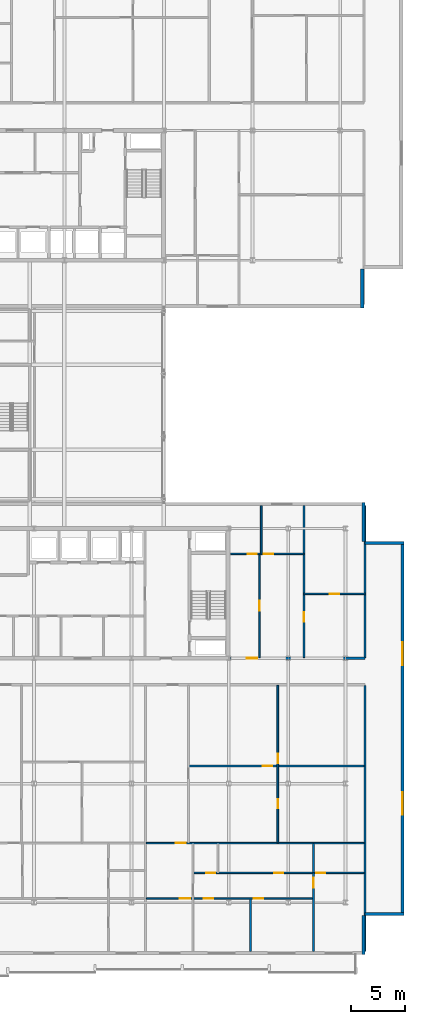
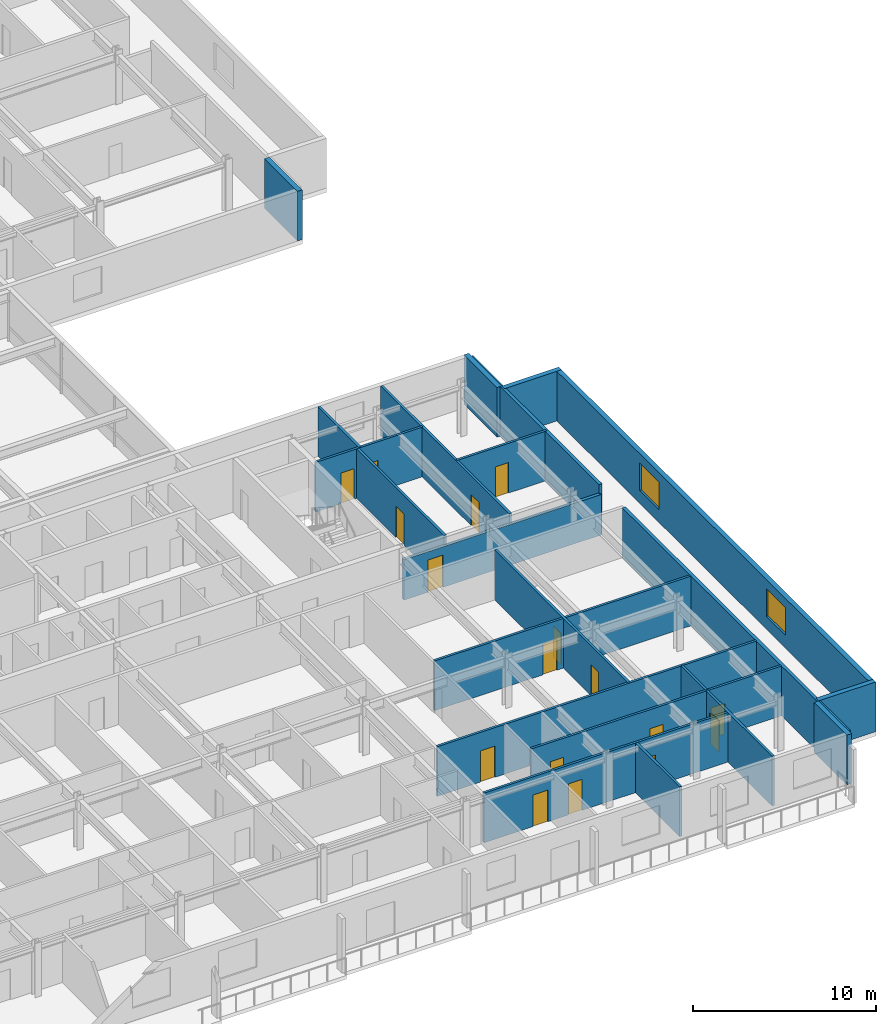
# One storey, part 23 of 36: 22 walls, 17 doors, 2 windows, 19 openings.
"""IFC4 building model written with IfcOpenShell, lengths in metres."""

from ifc_helpers import new_model, si_unit, direction, frame, frame_2d, origin, place, context, subcontext, project, spatial, rectangle, extrude, material, layer, layer_set, type_object, element, fill, save


model = new_model("IFC4")

# Units and contexts
model_context = context("Model", 3, precision=1e-05, world=origin(), true_north=direction((0.0, 1.0)))
body_context = subcontext(model_context, "Body", "Model", "MODEL_VIEW")
ifc_project = project(units=[si_unit("LENGTHUNIT", "METRE"), si_unit("AREAUNIT", "SQUARE_METRE"), si_unit("VOLUMEUNIT", "CUBIC_METRE"), si_unit("PLANEANGLEUNIT", "RADIAN"), si_unit("MASSUNIT", "GRAM", prefix="KILO")], contexts=[model_context])

# Site, building, storey
site_placement = place(None, origin())
site = spatial("IfcSite", under=ifc_project, at=site_placement, CompositionType="ELEMENT")
building_placement = place(site_placement, origin())
building = spatial("IfcBuilding", under=site, at=building_placement, Name="Korimba Cascade Residences", CompositionType="ELEMENT")
storey_placement = place(building_placement, frame((0.0, 0.0, 146.5)))
storey = spatial("IfcBuildingStorey", under=building, at=storey_placement, Name="L42", CompositionType="ELEMENT", Elevation=146.5)

# Walls
ifc_material_1 = material(Name="Precast concrete C40/50", Category="concrete")
ifc_layer_1 = layer(ifc_material_1, 0.300048828125)
ifc_layer_set_1 = layer_set([ifc_layer_1], Name="Precast concrete C40/50")
wall_type_1 = type_object("IfcWallType", Name="EW-STONE-300", PredefinedType="STANDARD", material=ifc_layer_set_1)
wall_1_placement = place(storey_placement, frame((130.449951171875, 50.800048828125, 0.0), z_axis=(0.0, 0.0, 1.0), x_axis=(0.0, 1.0, 0.0)))
element("IfcWall", 1, at=wall_1_placement, inside=storey, type_object=wall_type_1, Name="L42 T1 Perimeter Stone Wall E01", PredefinedType="STANDARD", context=body_context, shape_type="SweptSolid", body=[
    extrude(rectangle(XDim=3.599853515625, YDim=0.300048828125, at=frame_2d((1.7998046875, 0.0))), origin(), (0.0, 0.0, 1.0), 3.31005859375),
])
for number, where, z_axis, x_axis, name in (
    (2, (130.550048828125, -9.0, 0.0), (0.0, 0.0, 1.0), (0.0, 1.0, 0.0), "L42 T2 Perimeter Stone Wall E01"),
    (3, (130.699951171875, -5.25, 0.0), (0.0, 0.0, 1.0), (1.0, 0.0, 0.0), "L42 T2 Perimeter Stone Wall E02"),
):
    element("IfcWall", number, at=place(storey_placement, frame(where, z_axis=z_axis, x_axis=x_axis)), inside=storey, type_object=wall_type_1, Name=name, PredefinedType="STANDARD", context=body_context, shape_type="SweptSolid", body=[
        extrude(rectangle(XDim=3.60009765625, YDim=0.300048828125, at=frame_2d((1.800048828125, 0.0))), origin(), (0.0, 0.0, 1.0), 3.31005859375),
    ])

# Wall, openings, windows
wall_2_placement = place(storey_placement, frame((134.14990234375, -5.39990234375, 0.0), z_axis=(0.0, 0.0, 1.0), x_axis=(0.0, 1.0, 0.0)))
wall_2 = element("IfcWall", 4, at=wall_2_placement, inside=storey, type_object=wall_type_1, Name="L42 T2 Perimeter Stone Wall E03", PredefinedType="STANDARD", context=body_context, shape_type="SweptSolid", body=[
    extrude(rectangle(XDim=34.599853515625, YDim=0.300048828125, at=frame_2d((17.2998046875, 0.0))), origin(), (0.0, 0.0, 1.0), 3.31005859375),
])
opening_1_placement = place(wall_2_placement, frame((9.330078125, 0.0, 0.85009765625)))
opening_1 = element("IfcOpeningElement", 5, at=opening_1_placement, cuts=wall_2, Name="Opening W-03", PredefinedType="OPENING", context=body_context, shape_type="SweptSolid", body=[
    extrude(rectangle(XDim=2.10009765625, YDim=1.85009765625, at=frame_2d((1.050048828125, 0.925048828125))), frame((0.0, 0.16015625, 0.0), z_axis=(0.0, -1.0, 0.0), x_axis=(1.0, 0.0, 0.0)), (0.0, 0.0, 1.0), 0.320068359375),
])
opening_2_placement = place(wall_2_placement, frame((23.169921875, 0.0, 0.85009765625)))
opening_2 = element("IfcOpeningElement", 6, at=opening_2_placement, cuts=wall_2, Name="Opening W-03", PredefinedType="OPENING", context=body_context, shape_type="SweptSolid", body=[
    extrude(rectangle(XDim=2.10009765625, YDim=1.85009765625, at=frame_2d((1.050048828125, 0.925048828125))), frame((0.0, 0.16015625, 0.0), z_axis=(0.0, -1.0, 0.0), x_axis=(1.0, 0.0, 0.0)), (0.0, 0.0, 1.0), 0.320068359375),
])
ifc_material_2 = material(Name="Double-Glazed Aluminium Window", Category="aluminium")
window_type = type_object("IfcWindowType", Name="WIN-CRN-2100", PartitioningType="DOUBLE_PANEL_HORIZONTAL", PredefinedType="WINDOW", material=ifc_material_2)
window_1_placement = place(opening_1_placement, origin())
window_1 = element("IfcWindow", 7, at=window_1_placement, inside=storey, type_object=window_type, Name="L42 T2 End View Window 3.1", OverallHeight=1.85009765625, OverallWidth=2.10009765625, PartitioningType="DOUBLE_PANEL_HORIZONTAL", PredefinedType="WINDOW", context=body_context, shape_type="SweptSolid", body=[
    extrude(rectangle(XDim=2.10009765625, YDim=1.85009765625, at=frame_2d((1.050048828125, 0.925048828125))), frame((0.0, 0.030029296875, 0.0), z_axis=(0.0, -1.0, 0.0), x_axis=(1.0, 0.0, 0.0)), (0.0, 0.0, 1.0), 0.06005859375),
])
fill(opening_1, window_1)
window_2_placement = place(opening_2_placement, origin())
window_2 = element("IfcWindow", 8, at=window_2_placement, inside=storey, type_object=window_type, Name="L42 T2 End View Window 3.2", OverallHeight=1.85009765625, OverallWidth=2.10009765625, PartitioningType="DOUBLE_PANEL_HORIZONTAL", PredefinedType="WINDOW", context=body_context, shape_type="SweptSolid", body=[
    extrude(rectangle(XDim=2.10009765625, YDim=1.85009765625, at=frame_2d((1.050048828125, 0.925048828125))), frame((0.0, 0.030029296875, 0.0), z_axis=(0.0, -1.0, 0.0), x_axis=(1.0, 0.0, 0.0)), (0.0, 0.0, 1.0), 0.06005859375),
])
fill(opening_2, window_2)

# Walls
for number, where, z_axis, x_axis, name in (
    (9, (134.300048828125, 29.050048828125, 0.0), (0.0, 0.0, 1.0), (-1.0, 0.0, 0.0), "L42 T2 Perimeter Stone Wall E04"),
    (10, (130.550048828125, 29.199951171875, 0.0), (0.0, 0.0, 1.0), (0.0, 1.0, 0.0), "L42 T2 Perimeter Stone Wall E05"),
):
    element("IfcWall", number, at=place(storey_placement, frame(where, z_axis=z_axis, x_axis=x_axis)), inside=storey, type_object=wall_type_1, Name=name, PredefinedType="STANDARD", context=body_context, shape_type="SweptSolid", body=[
        extrude(rectangle(XDim=3.60009765625, YDim=0.300048828125, at=frame_2d((1.800048828125, 0.0))), origin(), (0.0, 0.0, 1.0), 3.31005859375),
    ])
ifc_layer_2 = layer(ifc_material_1, 0.199951171875)
ifc_layer_set_2 = layer_set([ifc_layer_2], Name="Precast concrete C40/50")
wall_type_2 = type_object("IfcWallType", Name="WAL-IT-200", PredefinedType="PARTITIONING", material=ifc_layer_set_2)
wall_3_placement = place(storey_placement, frame((130.699951171875, 18.39990234375, 0.0), z_axis=(0.0, 0.0, 1.0), x_axis=(0.0, 1.0, 0.0)))
element("IfcWall", 11, at=wall_3_placement, inside=storey, type_object=wall_type_2, Name="L42 Partition Wall WAL-L42-T2-FE-WR", PredefinedType="PARTITIONING", context=body_context, shape_type="SweptSolid", body=[
    extrude(rectangle(XDim=14.10009765625, YDim=0.199951171875, at=frame_2d((7.050048828125, 0.0))), origin(), (0.0, 0.0, 1.0), 3.31005859375),
])

# Wall, opening, door
wall_4_placement = place(storey_placement, frame((118.25, 18.39990234375, 0.0), z_axis=(0.0, 0.0, 1.0), x_axis=(1.0, 0.0, 0.0)))
wall_4 = element("IfcWall", 12, at=wall_4_placement, inside=storey, type_object=wall_type_2, Name="L42 Partition Wall WAL-L42-T2-FE-S", PredefinedType="PARTITIONING", context=body_context, shape_type="SweptSolid", body=[
    extrude(rectangle(XDim=12.449951171875, YDim=0.199951171875, at=frame_2d((6.22509765625, 0.0))), origin(), (0.0, 0.0, 1.0), 2.69775390625),
])
opening_3_placement = place(wall_4_placement, frame((1.510009765625, 0.0, 0.0)))
opening_3 = element("IfcOpeningElement", 13, at=opening_3_placement, cuts=wall_4, Name="Opening D-UN1", PredefinedType="OPENING", context=body_context, shape_type="SweptSolid", body=[
    extrude(rectangle(XDim=0.949951171875, YDim=2.14990234375, at=frame_2d((0.47509765625, 1.074951171875))), frame((0.0, 0.10986328125, 0.0), z_axis=(0.0, -1.0, 0.0), x_axis=(1.0, 0.0, 0.0)), (0.0, 0.0, 1.0), 0.219970703125),
])
ifc_material_3 = material(Name="Fire-Rated Hardwood Apartment Entrance Door", Category="wood")
door_type_1 = type_object("IfcDoorType", Name="DR-FD60-950", OperationType="NOTDEFINED", PredefinedType="DOOR", material=ifc_material_3)
door_1_placement = place(opening_3_placement, origin())
door_1 = element("IfcDoor", 14, at=door_1_placement, inside=storey, type_object=door_type_1, Name="L42-T2-FE Entrance Door", OperationType="SINGLE_SWING_RIGHT", OverallHeight=2.14990234375, OverallWidth=0.949951171875, PredefinedType="DOOR", context=body_context, shape_type="SweptSolid", body=[
    extrude(rectangle(XDim=0.949951171875, YDim=2.14990234375, at=frame_2d((0.47509765625, 1.074951171875))), frame((0.0, 0.02490234375, 0.0), z_axis=(0.0, -1.0, 0.0), x_axis=(1.0, 0.0, 0.0)), (0.0, 0.0, 1.0), 0.050048828125),
])
fill(opening_3, door_1)

# Wall
wall_5_placement = place(storey_placement, frame((130.699951171875, -8.699951171875, 0.0), z_axis=(0.0, 0.0, 1.0), x_axis=(0.0, 1.0, 0.0)))
element("IfcWall", 15, at=wall_5_placement, inside=storey, type_object=wall_type_2, Name="L42 Partition Wall WAL-L42-T2-BNDWR", PredefinedType="PARTITIONING", context=body_context, shape_type="SweptSolid", body=[
    extrude(rectangle(XDim=24.570068359375, YDim=0.199951171875, at=frame_2d((12.28515625, 0.0))), origin(), (0.0, 0.0, 1.0), 3.31005859375),
])

# Wall, opening, door
ifc_material_4 = material(Name="Insulated Acoustic Stud Partition", Category="gypsum")
ifc_layer_3 = layer(ifc_material_4, 0.14990234375)
ifc_layer_set_3 = layer_set([ifc_layer_3], Name="Insulated Acoustic Stud Partition")
wall_type_3 = type_object("IfcWallType", Name="WAL-PART-150", PredefinedType="PARTITIONING", material=ifc_layer_set_3)
wall_6_placement = place(storey_placement, frame((125.050048828125, 24.35009765625, 0.0), z_axis=(0.0, 0.0, 1.0), x_axis=(1.0, 0.0, 0.0)))
wall_6 = element("IfcWall", 16, at=wall_6_placement, inside=storey, type_object=wall_type_3, Name="L42 Partition Wall WAL-L42-T2-FE-STH", PredefinedType="PARTITIONING", context=body_context, shape_type="SweptSolid", body=[
    extrude(rectangle(XDim=5.64990234375, YDim=0.14990234375, at=frame_2d((2.824951171875, 0.0))), origin(), (0.0, 0.0, 1.0), 3.31005859375),
])
opening_4_placement = place(wall_6_placement, frame((2.405029296875, 0.0, 0.0)))
opening_4 = element("IfcOpeningElement", 17, at=opening_4_placement, cuts=wall_6, Name="Opening D-BT1", PredefinedType="OPENING", context=body_context, shape_type="SweptSolid", body=[
    extrude(rectangle(XDim=0.840087890625, YDim=2.0400390625, at=frame_2d((0.419921875, 1.02001953125))), frame((0.0, 0.0849609375, 0.0), z_axis=(0.0, -1.0, 0.0), x_axis=(1.0, 0.0, 0.0)), (0.0, 0.0, 1.0), 0.169921875),
])
ifc_material_5 = material(Name="Moisture-Resistant Bathroom Timber Door", Category="wood")
door_type_2 = type_object("IfcDoorType", Name="DR-INT-850", OperationType="NOTDEFINED", PredefinedType="DOOR", material=ifc_material_5)
door_2_placement = place(opening_4_placement, origin())
door_2 = element("IfcDoor", 18, at=door_2_placement, inside=storey, type_object=door_type_2, Name="L42-T2-FE Dressing Store Door", OperationType="SINGLE_SWING_LEFT", OverallHeight=2.0400390625, OverallWidth=0.840087890625, PredefinedType="DOOR", context=body_context, shape_type="SweptSolid", body=[
    extrude(rectangle(XDim=0.840087890625, YDim=2.0400390625, at=frame_2d((0.419921875, 1.02001953125))), frame((0.0, 0.02490234375, 0.0), z_axis=(0.0, -1.0, 0.0), x_axis=(1.0, 0.0, 0.0)), (0.0, 0.0, 1.0), 0.050048828125),
])
fill(opening_4, door_2)

wall_7_placement = place(storey_placement, frame((125.050048828125, 18.449951171875, 0.0), z_axis=(0.0, 0.0, 1.0), x_axis=(0.0, 1.0, 0.0)))
wall_7 = element("IfcWall", 19, at=wall_7_placement, inside=storey, type_object=wall_type_3, Name="L42 Partition Wall WAL-L42-T2-FE-STV", PredefinedType="PARTITIONING", context=body_context, shape_type="SweptSolid", body=[
    extrude(rectangle(XDim=14.050048828125, YDim=0.14990234375, at=frame_2d((7.02490234375, 0.0))), origin(), (0.0, 0.0, 1.0), 3.31005859375),
])
opening_5_placement = place(wall_7_placement, frame((3.320068359375, 0.0, 0.0)))
opening_5 = element("IfcOpeningElement", 20, at=opening_5_placement, cuts=wall_7, Name="Opening D-IN2", PredefinedType="OPENING", context=body_context, shape_type="SweptSolid", body=[
    extrude(rectangle(XDim=0.8798828125, YDim=2.06005859375, at=frame_2d((0.43994140625, 1.030029296875))), frame((0.0, 0.0849609375, 0.0), z_axis=(0.0, -1.0, 0.0), x_axis=(1.0, 0.0, 0.0)), (0.0, 0.0, 1.0), 0.169921875),
])
ifc_material_6 = material(Name="Acoustic Timber Bedroom Door", Category="wood")
door_type_3 = type_object("IfcDoorType", Name="DR-INT-880", OperationType="NOTDEFINED", PredefinedType="DOOR", material=ifc_material_6)
door_3_placement = place(opening_5_placement, origin())
door_3 = element("IfcDoor", 21, at=door_3_placement, inside=storey, type_object=door_type_3, Name="L42-T2-FE Study Door", OperationType="SINGLE_SWING_RIGHT", OverallHeight=2.06005859375, OverallWidth=0.8798828125, PredefinedType="DOOR", context=body_context, shape_type="SweptSolid", body=[
    extrude(rectangle(XDim=0.8798828125, YDim=2.06005859375, at=frame_2d((0.43994140625, 1.030029296875))), frame((0.0, 0.02490234375, 0.0), z_axis=(0.0, -1.0, 0.0), x_axis=(1.0, 0.0, 0.0)), (0.0, 0.0, 1.0), 0.050048828125),
])
fill(opening_5, door_3)

wall_8_placement = place(storey_placement, frame((120.929931640625, 18.449951171875, 0.0), z_axis=(0.0, 0.0, 1.0), x_axis=(0.0, 1.0, 0.0)))
wall_8 = element("IfcWall", 22, at=wall_8_placement, inside=storey, type_object=wall_type_3, Name="L42 Partition Wall WAL-L42-T2-FE-VS", PredefinedType="PARTITIONING", context=body_context, shape_type="SweptSolid", body=[
    extrude(rectangle(XDim=9.60009765625, YDim=0.14990234375, at=frame_2d((4.800048828125, 0.0))), origin(), (0.0, 0.0, 1.0), 3.31005859375),
])
opening_6_placement = place(wall_8_placement, frame((4.340087890625, 0.0, 0.0)))
opening_6 = element("IfcOpeningElement", 23, at=opening_6_placement, cuts=wall_8, Name="Opening D-IN1", PredefinedType="OPENING", context=body_context, shape_type="SweptSolid", body=[
    extrude(rectangle(XDim=0.919921875, YDim=2.080078125, at=frame_2d((0.4599609375, 1.0400390625))), frame((0.0, 0.0849609375, 0.0), z_axis=(0.0, -1.0, 0.0), x_axis=(1.0, 0.0, 0.0)), (0.0, 0.0, 1.0), 0.169921875),
])
ifc_material_7 = material(Name="Acoustic Timber Living Door", Category="wood")
door_type_4 = type_object("IfcDoorType", Name="DR-INT-920", OperationType="NOTDEFINED", PredefinedType="DOOR", material=ifc_material_7)
door_4_placement = place(opening_6_placement, origin())
door_4 = element("IfcDoor", 24, at=door_4_placement, inside=storey, type_object=door_type_4, Name="L42-T2-FE Living Door", OperationType="SINGLE_SWING_LEFT", OverallHeight=2.080078125, OverallWidth=0.919921875, PredefinedType="DOOR", context=body_context, shape_type="SweptSolid", body=[
    extrude(rectangle(XDim=0.919921875, YDim=2.080078125, at=frame_2d((0.4599609375, 1.0400390625))), frame((0.0, 0.02490234375, 0.0), z_axis=(0.0, -1.0, 0.0), x_axis=(1.0, 0.0, 0.0)), (0.0, 0.0, 1.0), 0.050048828125),
])
fill(opening_6, door_4)

# Wall
wall_9_placement = place(storey_placement, frame((121.10009765625, 28.050048828125, 0.0), z_axis=(0.0, 0.0, 1.0), x_axis=(0.0, 1.0, 0.0)))
element("IfcWall", 25, at=wall_9_placement, inside=storey, type_object=wall_type_3, Name="L42 Partition Wall WAL-L42-T2-FE-VN", PredefinedType="PARTITIONING", context=body_context, shape_type="SweptSolid", body=[
    extrude(rectangle(XDim=4.449951171875, YDim=0.14990234375, at=frame_2d((2.22509765625, 0.0))), origin(), (0.0, 0.0, 1.0), 3.31005859375),
])

# Wall, openings, doors
wall_10_placement = place(storey_placement, frame((118.27001953125, 28.050048828125, 0.0), z_axis=(0.0, 0.0, 1.0), x_axis=(1.0, 0.0, 0.0)))
wall_10 = element("IfcWall", 26, at=wall_10_placement, inside=storey, type_object=wall_type_3, Name="L42 Partition Wall WAL-L42-T2-FE-H", PredefinedType="PARTITIONING", context=body_context, shape_type="SweptSolid", body=[
    extrude(rectangle(XDim=6.760009765625, YDim=0.14990234375, at=frame_2d((3.3798828125, 0.0))), origin(), (0.0, 0.0, 1.0), 3.31005859375),
])
opening_7_placement = place(wall_10_placement, frame((1.58740234375, 0.0, 0.0)))
opening_7 = element("IfcOpeningElement", 27, at=opening_7_placement, cuts=wall_10, Name="Opening D-BT1", PredefinedType="OPENING", context=body_context, shape_type="SweptSolid", body=[
    extrude(rectangle(XDim=0.840087890625, YDim=2.0400390625, at=frame_2d((0.419921875, 1.02001953125))), frame((0.0, 0.0849609375, 0.0), z_axis=(0.0, -1.0, 0.0), x_axis=(1.0, 0.0, 0.0)), (0.0, 0.0, 1.0), 0.169921875),
])
opening_8_placement = place(wall_10_placement, frame((3.0419921875, 0.0, 0.0)))
opening_8 = element("IfcOpeningElement", 28, at=opening_8_placement, cuts=wall_10, Name="Opening D-IN2", PredefinedType="OPENING", context=body_context, shape_type="SweptSolid", body=[
    extrude(rectangle(XDim=0.8798828125, YDim=2.06005859375, at=frame_2d((0.43994140625, 1.030029296875))), frame((0.0, 0.0849609375, 0.0), z_axis=(0.0, -1.0, 0.0), x_axis=(1.0, 0.0, 0.0)), (0.0, 0.0, 1.0), 0.169921875),
])
door_5_placement = place(opening_7_placement, origin())
door_5 = element("IfcDoor", 29, at=door_5_placement, inside=storey, type_object=door_type_2, Name="L42-T2-FE Bathroom Door", OperationType="SINGLE_SWING_RIGHT", OverallHeight=2.0400390625, OverallWidth=0.840087890625, PredefinedType="DOOR", context=body_context, shape_type="SweptSolid", body=[
    extrude(rectangle(XDim=0.840087890625, YDim=2.0400390625, at=frame_2d((0.419921875, 1.02001953125))), frame((0.0, 0.02490234375, 0.0), z_axis=(0.0, -1.0, 0.0), x_axis=(1.0, 0.0, 0.0)), (0.0, 0.0, 1.0), 0.050048828125),
])
fill(opening_7, door_5)
door_6_placement = place(opening_8_placement, origin())
door_6 = element("IfcDoor", 30, at=door_6_placement, inside=storey, type_object=door_type_3, Name="L42-T2-FE Bedroom Door", OperationType="SINGLE_SWING_LEFT", OverallHeight=2.06005859375, OverallWidth=0.8798828125, PredefinedType="DOOR", context=body_context, shape_type="SweptSolid", body=[
    extrude(rectangle(XDim=0.8798828125, YDim=2.06005859375, at=frame_2d((0.43994140625, 1.030029296875))), frame((0.0, 0.02490234375, 0.0), z_axis=(0.0, -1.0, 0.0), x_axis=(1.0, 0.0, 0.0)), (0.0, 0.0, 1.0), 0.050048828125),
])
fill(opening_8, door_6)

wall_11_placement = place(storey_placement, frame((122.629150390625, 1.340087890625, 0.0), z_axis=(0.0, 0.0, 1.0), x_axis=(0.0, 1.0, 0.0)))
wall_11 = element("IfcWall", 31, at=wall_11_placement, inside=storey, type_object=wall_type_3, Name="L42 Partition Wall WAL-L42-T2-U03-FMV", PredefinedType="PARTITIONING", context=body_context, shape_type="SweptSolid", body=[
    extrude(rectangle(XDim=14.5498046875, YDim=0.14990234375, at=frame_2d((7.27490234375, 0.0))), origin(), (0.0, 0.0, 1.0), 3.31005859375),
])
opening_9_placement = place(wall_11_placement, frame((3.177490234375, 0.0, 0.0)))
opening_9 = element("IfcOpeningElement", 32, at=opening_9_placement, cuts=wall_11, Name="Opening D-BT1", PredefinedType="OPENING", context=body_context, shape_type="SweptSolid", body=[
    extrude(rectangle(XDim=0.840087890625, YDim=2.0400390625, at=frame_2d((0.419921875, 1.02001953125))), frame((0.0, 0.0849609375, 0.0), z_axis=(0.0, -1.0, 0.0), x_axis=(1.0, 0.0, 0.0)), (0.0, 0.0, 1.0), 0.169921875),
])
opening_10_placement = place(wall_11_placement, frame((7.344970703125, 0.0, 0.0)))
opening_10 = element("IfcOpeningElement", 33, at=opening_10_placement, cuts=wall_11, Name="Opening D-IN2", PredefinedType="OPENING", context=body_context, shape_type="SweptSolid", body=[
    extrude(rectangle(XDim=0.8798828125, YDim=2.06005859375, at=frame_2d((0.43994140625, 1.030029296875))), frame((0.0, 0.0849609375, 0.0), z_axis=(0.0, -1.0, 0.0), x_axis=(1.0, 0.0, 0.0)), (0.0, 0.0, 1.0), 0.169921875),
])
door_7_placement = place(opening_9_placement, origin())
door_7 = element("IfcDoor", 34, at=door_7_placement, inside=storey, type_object=door_type_2, Name="L42-T2-U03 Wardrobe Door", OperationType="SINGLE_SWING_LEFT", OverallHeight=2.0400390625, OverallWidth=0.840087890625, PredefinedType="DOOR", context=body_context, shape_type="SweptSolid", body=[
    extrude(rectangle(XDim=0.840087890625, YDim=2.0400390625, at=frame_2d((0.419921875, 1.02001953125))), frame((0.0, 0.02490234375, 0.0), z_axis=(0.0, -1.0, 0.0), x_axis=(1.0, 0.0, 0.0)), (0.0, 0.0, 1.0), 0.050048828125),
])
fill(opening_9, door_7)
door_8_placement = place(opening_10_placement, origin())
door_8 = element("IfcDoor", 35, at=door_8_placement, inside=storey, type_object=door_type_3, Name="L42-T2-U03 Music Lounge Door", OperationType="SINGLE_SWING_RIGHT", OverallHeight=2.06005859375, OverallWidth=0.8798828125, PredefinedType="DOOR", context=body_context, shape_type="SweptSolid", body=[
    extrude(rectangle(XDim=0.8798828125, YDim=2.06005859375, at=frame_2d((0.43994140625, 1.030029296875))), frame((0.0, 0.02490234375, 0.0), z_axis=(0.0, -1.0, 0.0), x_axis=(1.0, 0.0, 0.0)), (0.0, 0.0, 1.0), 0.050048828125),
])
fill(opening_10, door_8)

# Wall, opening, door
wall_12_placement = place(storey_placement, frame((114.438232421875, 8.43505859375, 0.0), z_axis=(0.0, 0.0, 1.0), x_axis=(1.0, 0.0, 0.0)))
wall_12 = element("IfcWall", 36, at=wall_12_placement, inside=storey, type_object=wall_type_3, Name="L42 Partition Wall WAL-L42-T2-U03-FMH", PredefinedType="PARTITIONING", context=body_context, shape_type="SweptSolid", body=[
    extrude(rectangle(XDim=16.181884765625, YDim=0.14990234375, at=frame_2d((8.0908203125, 0.0))), origin(), (0.0, 0.0, 1.0), 3.31005859375),
])
opening_11_placement = place(wall_12_placement, frame((6.8212890625, 0.0, 0.0)))
opening_11 = element("IfcOpeningElement", 37, at=opening_11_placement, cuts=wall_12, Name="Opening D-IN2", PredefinedType="OPENING", context=body_context, shape_type="SweptSolid", body=[
    extrude(rectangle(XDim=0.8798828125, YDim=2.06005859375, at=frame_2d((0.43994140625, 1.030029296875))), frame((0.0, 0.0849609375, 0.0), z_axis=(0.0, -1.0, 0.0), x_axis=(1.0, 0.0, 0.0)), (0.0, 0.0, 1.0), 0.169921875),
])
door_9_placement = place(opening_11_placement, origin())
door_9 = element("IfcDoor", 38, at=door_9_placement, inside=storey, type_object=door_type_3, Name="L42-T2-U03 Library Salon Door", OperationType="SINGLE_SWING_LEFT", OverallHeight=2.06005859375, OverallWidth=0.8798828125, PredefinedType="DOOR", context=body_context, shape_type="SweptSolid", body=[
    extrude(rectangle(XDim=0.8798828125, YDim=2.06005859375, at=frame_2d((0.43994140625, 1.030029296875))), frame((0.0, 0.02490234375, 0.0), z_axis=(0.0, -1.0, 0.0), x_axis=(1.0, 0.0, 0.0)), (0.0, 0.0, 1.0), 0.050048828125),
])
fill(opening_11, door_9)

# Walls
wall_13_placement = place(storey_placement, frame((120.104248046875, -8.699951171875, 0.0), z_axis=(0.0, 0.0, 1.0), x_axis=(0.0, 1.0, 0.0)))
element("IfcWall", 39, at=wall_13_placement, inside=storey, type_object=wall_type_3, Name="L42 Partition Wall WAL-L42-T2-U03-VSTD", PredefinedType="PARTITIONING", context=body_context, shape_type="SweptSolid", body=[
    extrude(rectangle(XDim=4.820068359375, YDim=0.14990234375, at=frame_2d((2.41015625, 0.0))), origin(), (0.0, 0.0, 1.0), 3.31005859375),
])
wall_14_placement = place(storey_placement, frame((125.929931640625, -1.429931640625, 0.0), z_axis=(0.0, 0.0, 1.0), x_axis=(0.0, 1.0, 0.0)))
element("IfcWall", 40, at=wall_14_placement, inside=storey, type_object=wall_type_3, Name="L42 Partition Wall WAL-L42-T2-U03-VBATH", PredefinedType="PARTITIONING", context=body_context, shape_type="SweptSolid", body=[
    extrude(rectangle(XDim=2.68994140625, YDim=0.14990234375, at=frame_2d((1.344970703125, 0.0))), origin(), (0.0, 0.0, 1.0), 3.31005859375),
])

# Wall, opening, door
wall_15_placement = place(storey_placement, frame((125.929931640625, -8.699951171875, 0.0), z_axis=(0.0, 0.0, 1.0), x_axis=(0.0, 1.0, 0.0)))
wall_15 = element("IfcWall", 41, at=wall_15_placement, inside=storey, type_object=wall_type_3, Name="L42 Partition Wall WAL-L42-T2-U03-V2FULL", PredefinedType="PARTITIONING", context=body_context, shape_type="SweptSolid", body=[
    extrude(rectangle(XDim=7.22998046875, YDim=0.14990234375, at=frame_2d((3.614990234375, 0.0))), origin(), (0.0, 0.0, 1.0), 3.31005859375),
])
opening_12_placement = place(wall_15_placement, frame((5.884033203125, 0.0, 0.0)))
opening_12 = element("IfcOpeningElement", 42, at=opening_12_placement, cuts=wall_15, Name="Opening D-IN1", PredefinedType="OPENING", context=body_context, shape_type="SweptSolid", body=[
    extrude(rectangle(XDim=0.919921875, YDim=2.080078125, at=frame_2d((0.4599609375, 1.0400390625))), frame((0.0, 0.0849609375, 0.0), z_axis=(0.0, -1.0, 0.0), x_axis=(1.0, 0.0, 0.0)), (0.0, 0.0, 1.0), 0.169921875),
])
door_10_placement = place(opening_12_placement, origin())
door_10 = element("IfcDoor", 43, at=door_10_placement, inside=storey, type_object=door_type_4, Name="L42-T2-U03 Master Bedroom Door", OperationType="SINGLE_SWING_RIGHT", OverallHeight=2.080078125, OverallWidth=0.919921875, PredefinedType="DOOR", context=body_context, shape_type="SweptSolid", body=[
    extrude(rectangle(XDim=0.919921875, YDim=2.080078125, at=frame_2d((0.4599609375, 1.0400390625))), frame((0.0, 0.02490234375, 0.0), z_axis=(0.0, -1.0, 0.0), x_axis=(1.0, 0.0, 0.0)), (0.0, 0.0, 1.0), 0.050048828125),
])
fill(opening_12, door_10)

# Wall, openings, doors
wall_16_placement = place(storey_placement, frame((114.818359375, -1.449951171875, 0.0), z_axis=(0.0, 0.0, 1.0), x_axis=(1.0, 0.0, 0.0)))
wall_16 = element("IfcWall", 44, at=wall_16_placement, inside=storey, type_object=wall_type_3, Name="L42 Partition Wall WAL-L42-T2-U03-HWALL", PredefinedType="PARTITIONING", context=body_context, shape_type="SweptSolid", body=[
    extrude(rectangle(XDim=15.8017578125, YDim=0.14990234375, at=frame_2d((7.90087890625, 0.0))), origin(), (0.0, 0.0, 1.0), 3.31005859375),
])
opening_13_placement = place(wall_16_placement, frame((1.2099609375, 0.0, 0.0)))
opening_13 = element("IfcOpeningElement", 45, at=opening_13_placement, cuts=wall_16, Name="Opening D-BT1", PredefinedType="OPENING", context=body_context, shape_type="SweptSolid", body=[
    extrude(rectangle(XDim=0.840087890625, YDim=2.0400390625, at=frame_2d((0.419921875, 1.02001953125))), frame((0.0, 0.0849609375, 0.0), z_axis=(0.0, -1.0, 0.0), x_axis=(1.0, 0.0, 0.0)), (0.0, 0.0, 1.0), 0.169921875),
])
opening_14_placement = place(wall_16_placement, frame((7.48095703125, 0.0, 0.0)))
opening_14 = element("IfcOpeningElement", 46, at=opening_14_placement, cuts=wall_16, Name="Opening D-BT1", PredefinedType="OPENING", context=body_context, shape_type="SweptSolid", body=[
    extrude(rectangle(XDim=0.840087890625, YDim=2.0400390625, at=frame_2d((0.419921875, 1.02001953125))), frame((0.0, 0.0849609375, 0.0), z_axis=(0.0, -1.0, 0.0), x_axis=(1.0, 0.0, 0.0)), (0.0, 0.0, 1.0), 0.169921875),
])
opening_15_placement = place(wall_16_placement, frame((11.36181640625, 0.0, 0.0)))
opening_15 = element("IfcOpeningElement", 47, at=opening_15_placement, cuts=wall_16, Name="Opening D-BT1", PredefinedType="OPENING", context=body_context, shape_type="SweptSolid", body=[
    extrude(rectangle(XDim=0.840087890625, YDim=2.0400390625, at=frame_2d((0.419921875, 1.02001953125))), frame((0.0, 0.0849609375, 0.0), z_axis=(0.0, -1.0, 0.0), x_axis=(1.0, 0.0, 0.0)), (0.0, 0.0, 1.0), 0.169921875),
])
door_11_placement = place(opening_13_placement, origin())
door_11 = element("IfcDoor", 48, at=door_11_placement, inside=storey, type_object=door_type_2, Name="L42-T2-U03 Family Bathroom Door", OperationType="SINGLE_SWING_LEFT", OverallHeight=2.0400390625, OverallWidth=0.840087890625, PredefinedType="DOOR", context=body_context, shape_type="SweptSolid", body=[
    extrude(rectangle(XDim=0.840087890625, YDim=2.0400390625, at=frame_2d((0.419921875, 1.02001953125))), frame((0.0, 0.02490234375, 0.0), z_axis=(0.0, -1.0, 0.0), x_axis=(1.0, 0.0, 0.0)), (0.0, 0.0, 1.0), 0.050048828125),
])
fill(opening_13, door_11)
door_12_placement = place(opening_14_placement, origin())
door_12 = element("IfcDoor", 49, at=door_12_placement, inside=storey, type_object=door_type_2, Name="L42-T2-U03 Dressing Room Door", OperationType="SINGLE_SWING_RIGHT", OverallHeight=2.0400390625, OverallWidth=0.840087890625, PredefinedType="DOOR", context=body_context, shape_type="SweptSolid", body=[
    extrude(rectangle(XDim=0.840087890625, YDim=2.0400390625, at=frame_2d((0.419921875, 1.02001953125))), frame((0.0, 0.02490234375, 0.0), z_axis=(0.0, -1.0, 0.0), x_axis=(1.0, 0.0, 0.0)), (0.0, 0.0, 1.0), 0.050048828125),
])
fill(opening_14, door_12)
door_13_placement = place(opening_15_placement, origin())
door_13 = element("IfcDoor", 50, at=door_13_placement, inside=storey, type_object=door_type_2, Name="L42-T2-U03 En-Suite Door", OperationType="SINGLE_SWING_LEFT", OverallHeight=2.0400390625, OverallWidth=0.840087890625, PredefinedType="DOOR", context=body_context, shape_type="SweptSolid", body=[
    extrude(rectangle(XDim=0.840087890625, YDim=2.0400390625, at=frame_2d((0.419921875, 1.02001953125))), frame((0.0, 0.02490234375, 0.0), z_axis=(0.0, -1.0, 0.0), x_axis=(1.0, 0.0, 0.0)), (0.0, 0.0, 1.0), 0.050048828125),
])
fill(opening_15, door_13)

# Wall, opening, door
wall_17_placement = place(storey_placement, frame((110.48828125, 1.300048828125, 0.0), z_axis=(0.0, 0.0, 1.0), x_axis=(1.0, 0.0, 0.0)))
wall_17 = element("IfcWall", 51, at=wall_17_placement, inside=storey, type_object=wall_type_3, Name="L42 Partition Wall WAL-L42-T2-U03-MW", PredefinedType="PARTITIONING", context=body_context, shape_type="SweptSolid", body=[
    extrude(rectangle(XDim=20.1318359375, YDim=0.14990234375, at=frame_2d((10.06591796875, 0.0))), origin(), (0.0, 0.0, 1.0), 3.31005859375),
])
opening_16_placement = place(wall_17_placement, frame((2.719970703125, 0.0, 0.0)))
opening_16 = element("IfcOpeningElement", 52, at=opening_16_placement, cuts=wall_17, Name="Opening D-IN1", PredefinedType="OPENING", context=body_context, shape_type="SweptSolid", body=[
    extrude(rectangle(XDim=0.919921875, YDim=2.080078125, at=frame_2d((0.4599609375, 1.0400390625))), frame((0.0, 0.0849609375, 0.0), z_axis=(0.0, -1.0, 0.0), x_axis=(1.0, 0.0, 0.0)), (0.0, 0.0, 1.0), 0.169921875),
])
door_14_placement = place(opening_16_placement, origin())
door_14 = element("IfcDoor", 53, at=door_14_placement, inside=storey, type_object=door_type_4, Name="L42-T2-U03 Kitchen Door", OperationType="SINGLE_SWING_RIGHT", OverallHeight=2.080078125, OverallWidth=0.919921875, PredefinedType="DOOR", context=body_context, shape_type="SweptSolid", body=[
    extrude(rectangle(XDim=0.919921875, YDim=2.080078125, at=frame_2d((0.4599609375, 1.0400390625))), frame((0.0, 0.02490234375, 0.0), z_axis=(0.0, -1.0, 0.0), x_axis=(1.0, 0.0, 0.0)), (0.0, 0.0, 1.0), 0.050048828125),
])
fill(opening_16, door_14)

# Wall, openings, doors
wall_18_placement = place(storey_placement, frame((110.48828125, -3.800048828125, 0.0), z_axis=(0.0, 0.0, 1.0), x_axis=(1.0, 0.0, 0.0)))
wall_18 = element("IfcWall", 54, at=wall_18_placement, inside=storey, type_object=wall_type_3, Name="L42 Partition Wall WAL-L42-T2-U03-HZ", PredefinedType="PARTITIONING", context=body_context, shape_type="SweptSolid", body=[
    extrude(rectangle(XDim=15.441650390625, YDim=0.14990234375, at=frame_2d((7.720703125, 0.0))), origin(), (0.0, 0.0, 1.0), 3.31005859375),
])
opening_17_placement = place(wall_18_placement, frame((3.10009765625, 0.0, 0.0)))
opening_17 = element("IfcOpeningElement", 55, at=opening_17_placement, cuts=wall_18, Name="Opening D-IN0", PredefinedType="OPENING", context=body_context, shape_type="SweptSolid", body=[
    extrude(rectangle(XDim=0.93994140625, YDim=2.10009765625, at=frame_2d((0.469970703125, 1.050048828125))), frame((0.0, 0.0849609375, 0.0), z_axis=(0.0, -1.0, 0.0), x_axis=(1.0, 0.0, 0.0)), (0.0, 0.0, 1.0), 0.169921875),
])
opening_18_placement = place(wall_18_placement, frame((5.311279296875, 0.0, 0.0)))
opening_18 = element("IfcOpeningElement", 56, at=opening_18_placement, cuts=wall_18, Name="Opening D-IN2", PredefinedType="OPENING", context=body_context, shape_type="SweptSolid", body=[
    extrude(rectangle(XDim=0.8798828125, YDim=2.06005859375, at=frame_2d((0.43994140625, 1.030029296875))), frame((0.0, 0.0849609375, 0.0), z_axis=(0.0, -1.0, 0.0), x_axis=(1.0, 0.0, 0.0)), (0.0, 0.0, 1.0), 0.169921875),
])
opening_19_placement = place(wall_18_placement, frame((9.926025390625, 0.0, 0.0)))
opening_19 = element("IfcOpeningElement", 57, at=opening_19_placement, cuts=wall_18, Name="Opening D-IN2", PredefinedType="OPENING", context=body_context, shape_type="SweptSolid", body=[
    extrude(rectangle(XDim=0.8798828125, YDim=2.06005859375, at=frame_2d((0.43994140625, 1.030029296875))), frame((0.0, 0.0849609375, 0.0), z_axis=(0.0, -1.0, 0.0), x_axis=(1.0, 0.0, 0.0)), (0.0, 0.0, 1.0), 0.169921875),
])
door_15_placement = place(opening_18_placement, origin())
door_15 = element("IfcDoor", 58, at=door_15_placement, inside=storey, type_object=door_type_3, Name="L42-T2-U03 Bedroom 2 Door", OperationType="SINGLE_SWING_RIGHT", OverallHeight=2.06005859375, OverallWidth=0.8798828125, PredefinedType="DOOR", context=body_context, shape_type="SweptSolid", body=[
    extrude(rectangle(XDim=0.8798828125, YDim=2.06005859375, at=frame_2d((0.43994140625, 1.030029296875))), frame((0.0, 0.02490234375, 0.0), z_axis=(0.0, -1.0, 0.0), x_axis=(1.0, 0.0, 0.0)), (0.0, 0.0, 1.0), 0.050048828125),
])
fill(opening_18, door_15)
door_16_placement = place(opening_19_placement, origin())
door_16 = element("IfcDoor", 59, at=door_16_placement, inside=storey, type_object=door_type_3, Name="L42-T2-U03 Study Door", OperationType="SINGLE_SWING_LEFT", OverallHeight=2.06005859375, OverallWidth=0.8798828125, PredefinedType="DOOR", context=body_context, shape_type="SweptSolid", body=[
    extrude(rectangle(XDim=0.8798828125, YDim=2.06005859375, at=frame_2d((0.43994140625, 1.030029296875))), frame((0.0, 0.02490234375, 0.0), z_axis=(0.0, -1.0, 0.0), x_axis=(1.0, 0.0, 0.0)), (0.0, 0.0, 1.0), 0.050048828125),
])
fill(opening_19, door_16)
ifc_material_8 = material(Name="Acoustic Timber Living Archway Door", Category="wood")
door_type_5 = type_object("IfcDoorType", Name="DR-INT-950", OperationType="NOTDEFINED", PredefinedType="DOOR", material=ifc_material_8)
door_17_placement = place(opening_17_placement, origin())
door_17 = element("IfcDoor", 60, at=door_17_placement, inside=storey, type_object=door_type_5, Name="L42-T2-U03 Living Room Door", OperationType="SINGLE_SWING_LEFT", OverallHeight=2.10009765625, OverallWidth=0.93994140625, PredefinedType="DOOR", context=body_context, shape_type="SweptSolid", body=[
    extrude(rectangle(XDim=0.93994140625, YDim=2.10009765625, at=frame_2d((0.469970703125, 1.050048828125))), frame((0.0, 0.02490234375, 0.0), z_axis=(0.0, -1.0, 0.0), x_axis=(1.0, 0.0, 0.0)), (0.0, 0.0, 1.0), 0.050048828125),
])
fill(opening_17, door_17)

save(model, "model.ifc")
